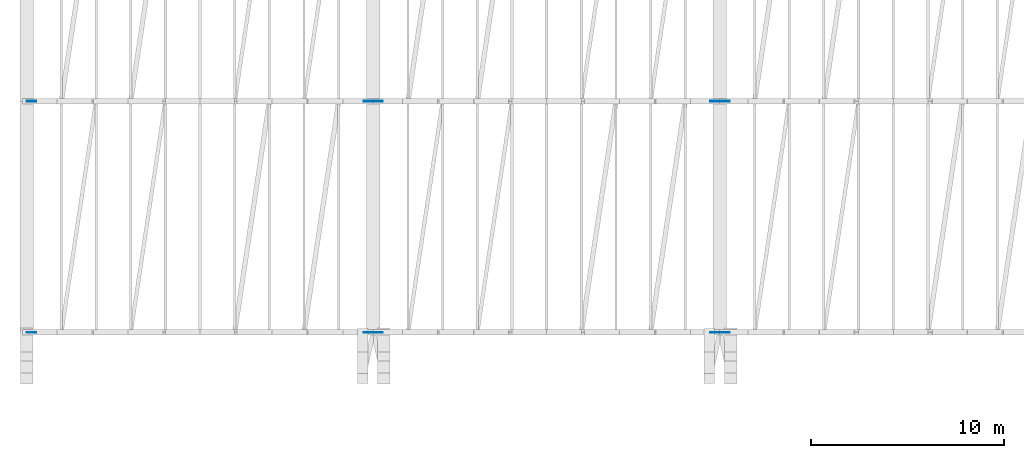
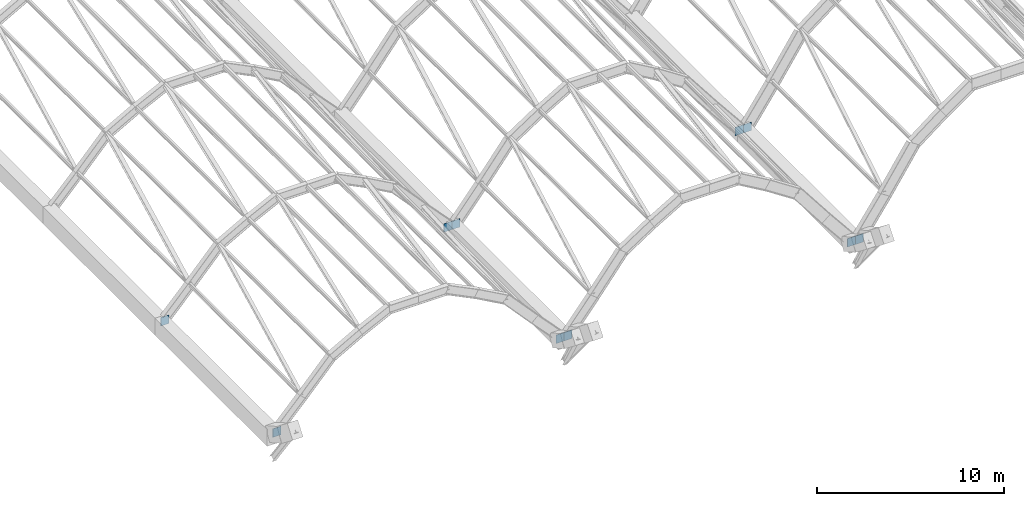
# One storey, part 61 of 86: 10 plates.
"""IFC4 building model written with IfcOpenShell, lengths in metres."""

from ifc_helpers import new_model, si_unit, direction, frame, origin, origin_2d, place, context, subcontext, project, spatial, rectangle, extrude, material, layer, layer_set, type_object, element, save


model = new_model("IFC4")

# Units and contexts
model_context = context("Model", 3, precision=1e-05, world=origin(), true_north=direction((0.0, 1.0)))
body_context = subcontext(model_context, "Body", "Model", "MODEL_VIEW")
ifc_project = project(units=[si_unit("LENGTHUNIT", "METRE"), si_unit("AREAUNIT", "SQUARE_METRE"), si_unit("VOLUMEUNIT", "CUBIC_METRE"), si_unit("PLANEANGLEUNIT", "RADIAN"), si_unit("MASSUNIT", "GRAM", prefix="KILO")], contexts=[model_context])

# Site, building, storey
site_placement = place(None, origin())
site = spatial("IfcSite", under=ifc_project, at=site_placement, CompositionType="ELEMENT")
building_placement = place(site_placement, origin())
building = spatial("IfcBuilding", under=site, at=building_placement, Name="Chuanluo Vaults Station", CompositionType="ELEMENT")
storey_placement = place(building_placement, frame((0.0, 0.0, 14.39990234375)))
storey = spatial("IfcBuildingStorey", under=building, at=storey_placement, Name="L03", CompositionType="ELEMENT", Elevation=14.39990234375)

# Plates
ifc_material = material(Name="Steel Q390C", Category="steel")
ifc_layer = layer(ifc_material, 0.028076171875)
ifc_layer_set = layer_set([ifc_layer], Name="Steel Q390C")
plate_type = type_object("IfcPlateType", Name="PLT-GUS-28", PredefinedType="USERDEFINED", material=ifc_layer_set)
for number, where, z_axis, x_axis, name in (
    (1, (0.25, 18.0, -0.875), (0.0, 0.0, 1.0), (1.0, 0.0, 0.0), "Vault V1 skewback node plate 1-W"),
    (2, (17.75, 18.0, -0.875), (0.0, 0.0, 1.0), (1.0, 0.0, 0.0), "Vault V1 skewback node plate 1-E"),
    (3, (0.25, 30.0, -0.875), (0.0, 0.0, 1.0), (1.0, 0.0, 0.0), "Vault V1 skewback node plate 2-W"),
    (4, (17.75, 30.0, -0.875), (0.0, 0.0, 1.0), (1.0, 0.0, 0.0), "Vault V1 skewback node plate 2-E"),
    (5, (18.25, 18.0, -0.875), (0.0, 0.0, 1.0), (1.0, 0.0, 0.0), "Vault V2 skewback node plate 1-W"),
    (6, (35.75, 18.0, -0.875), (0.0, 0.0, 1.0), (1.0, 0.0, 0.0), "Vault V2 skewback node plate 1-E"),
    (7, (18.25, 30.0, -0.875), (0.0, 0.0, 1.0), (1.0, 0.0, 0.0), "Vault V2 skewback node plate 2-W"),
    (8, (35.75, 30.0, -0.875), (0.0, 0.0, 1.0), (1.0, 0.0, 0.0), "Vault V2 skewback node plate 2-E"),
    (9, (36.25, 18.0, -0.875), (0.0, 0.0, 1.0), (1.0, 0.0, 0.0), "Vault V3 skewback node plate 1-W"),
    (10, (36.25, 30.0, -0.875), (0.0, 0.0, 1.0), (1.0, 0.0, 0.0), "Vault V3 skewback node plate 2-W"),
):
    element("IfcPlate", number, at=place(storey_placement, frame(where, z_axis=z_axis, x_axis=x_axis)), inside=storey, type_object=plate_type, Name=name, ObjectType="GUSSET_PLATE", PredefinedType="USERDEFINED", context=body_context, shape_type="SweptSolid", body=[
        extrude(rectangle(XDim=0.5, YDim=0.028076171875, at=origin_2d()), origin(), (0.0, 0.0, 1.0), 0.550048828125),
    ])

save(model, "model.ifc")
